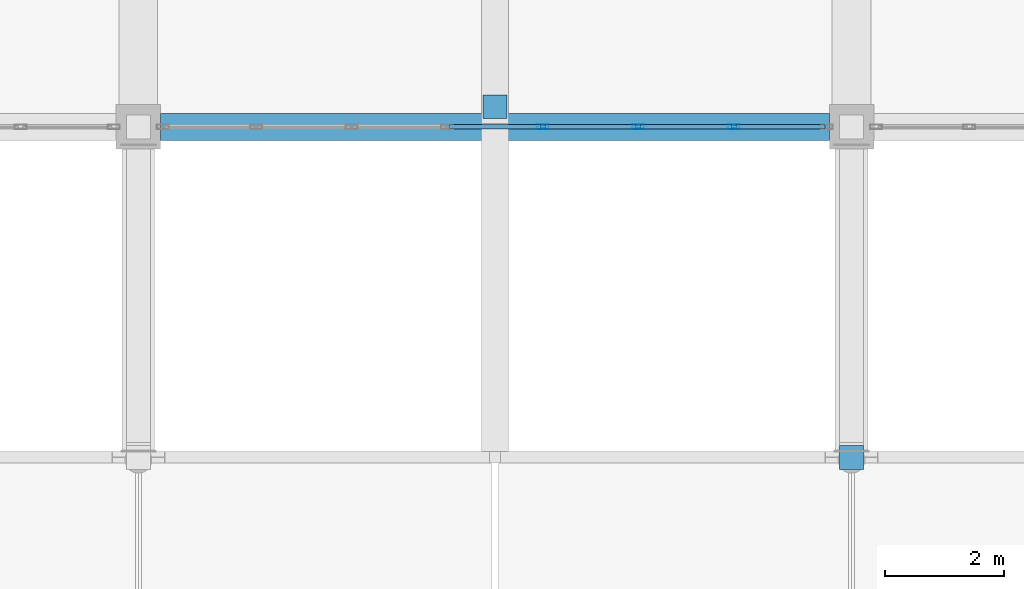
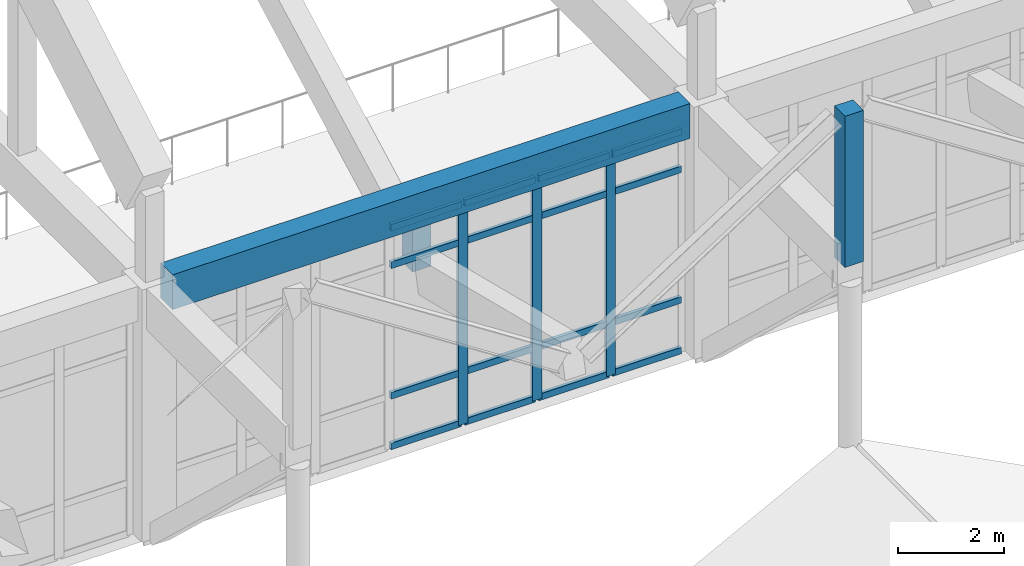
# One storey, part 53 of 236: 21 members, 1 beam, 1 element without a shape of its own.
"""IFC4 building model written with IfcOpenShell, lengths in metres."""

from ifc_helpers import new_model, si_unit, direction, frame, origin, origin_2d, place, context, subcontext, project, spatial, rectangle, hollow_rectangle, extrude, material, layer, layer_set, material_profile, profile_set, type_object, element, aggregate, save


model = new_model("IFC4")

# Units and contexts
model_context = context("Model", 3, precision=1e-05, world=origin(), true_north=direction((0.0, 1.0)))
body_context = subcontext(model_context, "Body", "Model", "MODEL_VIEW")
ifc_project = project(units=[si_unit("LENGTHUNIT", "METRE"), si_unit("AREAUNIT", "SQUARE_METRE"), si_unit("VOLUMEUNIT", "CUBIC_METRE"), si_unit("PLANEANGLEUNIT", "RADIAN"), si_unit("MASSUNIT", "GRAM", prefix="KILO")], contexts=[model_context])

# Site, building, storey
site_placement = place(None, origin())
site = spatial("IfcSite", under=ifc_project, at=site_placement, CompositionType="ELEMENT")
building_placement = place(site_placement, origin())
building = spatial("IfcBuilding", under=site, at=building_placement, Name="Pandanus Reach Market Hall", CompositionType="ELEMENT")
storey_placement = place(building_placement, frame((0.0, 0.0, 5.39990234375)))
storey = spatial("IfcBuildingStorey", under=building, at=storey_placement, Name="L01", CompositionType="ELEMENT", Elevation=5.39990234375)

# Members
ifc_material_1 = material(Name="Concrete N50 (50 MPa)", Category="concrete")
ifc_material_profile_1 = material_profile(ifc_material_1, rectangle(XDim=0.39990234375, YDim=0.39990234375, at=origin_2d()), Name="RC400x400", Category="LoadBearing")
ifc_profile_set_1 = profile_set([ifc_material_profile_1], Name="Concrete N50 (50 MPa)")
member_type_1 = type_object("IfcMemberType", Name="AR-WEB400-E", PredefinedType="STRUT", material=ifc_profile_set_1)
member_1_placement = place(storey_placement, frame((96.0, 23.239990234375, 5.3251953125), z_axis=(0.0, 0.0, 1.0), x_axis=(1.0, 0.0, 0.0)))
element("IfcMember", 1, at=member_1_placement, inside=storey, type_object=member_type_1, Name="Zigzag eaves ridge post A5.S", PredefinedType="STRUT", context=body_context, shape_type="SweptSolid", body=[
    extrude(rectangle(XDim=0.39990234375, YDim=0.39990234375, at=origin_2d()), origin(), (0.0, 0.0, 1.0), 3.474853515625),
])
member_2_placement = place(storey_placement, frame((90.0, 29.139892578125, 3.739990234375), z_axis=(0.0, 0.0, 1.0), x_axis=(1.0, 0.0, 0.0)))
element("IfcMember", 2, at=member_2_placement, inside=storey, type_object=member_type_1, Name="Butterfly south eave valley hanger B4S", PredefinedType="STRUT", context=body_context, shape_type="SweptSolid", body=[
    extrude(rectangle(XDim=0.39990234375, YDim=0.39990234375, at=origin_2d()), origin(), (0.0, 0.0, 1.0), 1.66015625),
])

# Beam
ifc_material_2 = material(Name="Concrete N40 (40 MPa)", Category="concrete")
ifc_material_profile_2 = material_profile(ifc_material_2, rectangle(XDim=0.449951171875, YDim=0.800048828125, at=origin_2d()), Name="RC450x800", Category="LoadBearing")
ifc_profile_set_2 = profile_set([ifc_material_profile_2], Name="Concrete N40 (40 MPa)")
beam_type = type_object("IfcBeamType", Name="BM-RC450-E", PredefinedType="SPANDREL", material=ifc_profile_set_2)
beam_placement = place(storey_placement, frame((84.373046875, 28.800048828125, 5.400146484375), z_axis=(1.0, 0.0, 0.0), x_axis=(0.0, 1.0, 0.0)))
element("IfcBeam", 3, at=beam_placement, inside=storey, type_object=beam_type, Name="Framing beam BM-RC450-E L01.1141", PredefinedType="SPANDREL", context=body_context, shape_type="SweptSolid", body=[
    extrude(rectangle(XDim=0.449951171875, YDim=0.800048828125, at=origin_2d()), origin(), (0.0, 0.0, 1.0), 11.25390625),
])

# Curtain wall, members
ifc_material_3 = material(Name="Bronze anodised aluminium and low-E glass", Category="aluminium")
ifc_layer = layer(ifc_material_3, 0.199951171875, Name="CW-02")
ifc_layer_set = layer_set([ifc_layer], Name="Bronze anodised aluminium and low-E glass")
curtain_wall_type = type_object("IfcCurtainWallType", Name="CW-02", PredefinedType="NOTDEFINED", material=ifc_layer_set)
curtain_wall_placement = place(storey_placement, origin())
curtain_wall = element("IfcCurtainWall", 4, at=curtain_wall_placement, inside=storey, type_object=curtain_wall_type, Name="Glazed curtain wall CW-02 CW-0005", PredefinedType="NOTDEFINED")
ifc_material_4 = material(Name="Bronze anodised aluminium", Category="aluminium")
ifc_material_profile_3 = material_profile(ifc_material_4, hollow_rectangle(XDim=0.074951171875, YDim=0.199951171875, WallThickness=0.00439453125, at=origin_2d()), Name="ALU75x200", Category="LoadBearing")
ifc_profile_set_3 = profile_set([ifc_material_profile_3], Name="Bronze anodised aluminium")
member_type_2 = type_object("IfcMemberType", Name="CW-M2", PredefinedType="MULLION", material=ifc_profile_set_3)
member_3_placement = place(storey_placement, frame((90.803466796875, 28.800048828125, 0.0), z_axis=(0.0, 0.0, 1.0), x_axis=(0.0, 1.0, 0.0)))
member_3 = element("IfcMember", 5, at=member_3_placement, type_object=member_type_2, Name="CW-02 mullion 5", PredefinedType="MULLION", context=body_context, shape_type="SweptSolid", body=[
    extrude(hollow_rectangle(XDim=0.074951171875, YDim=0.199951171875, WallThickness=0.00439453125, at=origin_2d()), origin(), (0.0, 0.0, 1.0), 5.10009765625),
])
member_4_placement = place(storey_placement, frame((92.41064453125, 28.800048828125, 0.0), z_axis=(0.0, 0.0, 1.0), x_axis=(0.0, 1.0, 0.0)))
member_4 = element("IfcMember", 6, at=member_4_placement, type_object=member_type_2, Name="CW-02 mullion 6", PredefinedType="MULLION", context=body_context, shape_type="SweptSolid", body=[
    extrude(hollow_rectangle(XDim=0.074951171875, YDim=0.199951171875, WallThickness=0.00439453125, at=origin_2d()), origin(), (0.0, 0.0, 1.0), 5.10009765625),
])
member_5_placement = place(storey_placement, frame((94.017822265625, 28.800048828125, 0.0), z_axis=(0.0, 0.0, 1.0), x_axis=(0.0, 1.0, 0.0)))
member_5 = element("IfcMember", 7, at=member_5_placement, type_object=member_type_2, Name="CW-02 mullion 7", PredefinedType="MULLION", context=body_context, shape_type="SweptSolid", body=[
    extrude(hollow_rectangle(XDim=0.074951171875, YDim=0.199951171875, WallThickness=0.00439453125, at=origin_2d()), origin(), (0.0, 0.0, 1.0), 5.10009765625),
])
ifc_material_profile_4 = material_profile(ifc_material_4, hollow_rectangle(XDim=0.074951171875, YDim=0.14990234375, WallThickness=0.00439453125, at=origin_2d()), Name="ALU75x150", Category="LoadBearing")
ifc_profile_set_4 = profile_set([ifc_material_profile_4], Name="Bronze anodised aluminium")
member_type_3 = type_object("IfcMemberType", Name="CW-T2", PredefinedType="USERDEFINED", material=ifc_profile_set_4)
member_6_placement = place(storey_placement, frame((89.23388671875, 28.800048828125, 0.03759765625), z_axis=(1.0, 0.0, 0.0), x_axis=(0.0, 1.0, 0.0)))
member_6 = element("IfcMember", 8, at=member_6_placement, type_object=member_type_3, Name="CW-02 transom 4.1", ObjectType="TRANSOM", PredefinedType="USERDEFINED", context=body_context, shape_type="SweptSolid", body=[
    extrude(hollow_rectangle(XDim=0.074951171875, YDim=0.14990234375, WallThickness=0.00439453125, at=origin_2d()), origin(), (0.0, 0.0, 1.0), 1.5322265625),
])
member_7_placement = place(storey_placement, frame((89.23388671875, 28.800048828125, 1.2001953125), z_axis=(1.0, 0.0, 0.0), x_axis=(0.0, 1.0, 0.0)))
member_7 = element("IfcMember", 9, at=member_7_placement, type_object=member_type_3, Name="CW-02 transom 4.2", ObjectType="TRANSOM", PredefinedType="USERDEFINED", context=body_context, shape_type="SweptSolid", body=[
    extrude(hollow_rectangle(XDim=0.074951171875, YDim=0.14990234375, WallThickness=0.00439453125, at=origin_2d()), origin(), (0.0, 0.0, 1.0), 1.5322265625),
])
member_8_placement = place(storey_placement, frame((89.23388671875, 28.800048828125, 4.2001953125), z_axis=(1.0, 0.0, 0.0), x_axis=(0.0, 1.0, 0.0)))
member_8 = element("IfcMember", 10, at=member_8_placement, type_object=member_type_3, Name="CW-02 transom 4.3", ObjectType="TRANSOM", PredefinedType="USERDEFINED", context=body_context, shape_type="SweptSolid", body=[
    extrude(hollow_rectangle(XDim=0.074951171875, YDim=0.14990234375, WallThickness=0.00439453125, at=origin_2d()), origin(), (0.0, 0.0, 1.0), 1.5322265625),
])
member_9_placement = place(storey_placement, frame((89.23388671875, 28.800048828125, 5.0625), z_axis=(1.0, 0.0, 0.0), x_axis=(0.0, 1.0, 0.0)))
member_9 = element("IfcMember", 11, at=member_9_placement, type_object=member_type_3, Name="CW-02 transom 4.4", ObjectType="TRANSOM", PredefinedType="USERDEFINED", context=body_context, shape_type="SweptSolid", body=[
    extrude(hollow_rectangle(XDim=0.074951171875, YDim=0.14990234375, WallThickness=0.00439453125, at=origin_2d()), origin(), (0.0, 0.0, 1.0), 1.5322265625),
])
member_10_placement = place(storey_placement, frame((90.841064453125, 28.800048828125, 0.03759765625), z_axis=(1.0, 0.0, 0.0), x_axis=(0.0, 1.0, 0.0)))
member_10 = element("IfcMember", 12, at=member_10_placement, type_object=member_type_3, Name="CW-02 transom 5.1", ObjectType="TRANSOM", PredefinedType="USERDEFINED", context=body_context, shape_type="SweptSolid", body=[
    extrude(hollow_rectangle(XDim=0.074951171875, YDim=0.14990234375, WallThickness=0.00439453125, at=origin_2d()), origin(), (0.0, 0.0, 1.0), 1.5322265625),
])
member_11_placement = place(storey_placement, frame((90.841064453125, 28.800048828125, 1.2001953125), z_axis=(1.0, 0.0, 0.0), x_axis=(0.0, 1.0, 0.0)))
member_11 = element("IfcMember", 13, at=member_11_placement, type_object=member_type_3, Name="CW-02 transom 5.2", ObjectType="TRANSOM", PredefinedType="USERDEFINED", context=body_context, shape_type="SweptSolid", body=[
    extrude(hollow_rectangle(XDim=0.074951171875, YDim=0.14990234375, WallThickness=0.00439453125, at=origin_2d()), origin(), (0.0, 0.0, 1.0), 1.5322265625),
])
member_12_placement = place(storey_placement, frame((90.841064453125, 28.800048828125, 4.2001953125), z_axis=(1.0, 0.0, 0.0), x_axis=(0.0, 1.0, 0.0)))
member_12 = element("IfcMember", 14, at=member_12_placement, type_object=member_type_3, Name="CW-02 transom 5.3", ObjectType="TRANSOM", PredefinedType="USERDEFINED", context=body_context, shape_type="SweptSolid", body=[
    extrude(hollow_rectangle(XDim=0.074951171875, YDim=0.14990234375, WallThickness=0.00439453125, at=origin_2d()), origin(), (0.0, 0.0, 1.0), 1.5322265625),
])
member_13_placement = place(storey_placement, frame((90.841064453125, 28.800048828125, 5.0625), z_axis=(1.0, 0.0, 0.0), x_axis=(0.0, 1.0, 0.0)))
member_13 = element("IfcMember", 15, at=member_13_placement, type_object=member_type_3, Name="CW-02 transom 5.4", ObjectType="TRANSOM", PredefinedType="USERDEFINED", context=body_context, shape_type="SweptSolid", body=[
    extrude(hollow_rectangle(XDim=0.074951171875, YDim=0.14990234375, WallThickness=0.00439453125, at=origin_2d()), origin(), (0.0, 0.0, 1.0), 1.5322265625),
])
member_14_placement = place(storey_placement, frame((92.4482421875, 28.800048828125, 0.03759765625), z_axis=(1.0, 0.0, 0.0), x_axis=(0.0, 1.0, 0.0)))
member_14 = element("IfcMember", 16, at=member_14_placement, type_object=member_type_3, Name="CW-02 transom 6.1", ObjectType="TRANSOM", PredefinedType="USERDEFINED", context=body_context, shape_type="SweptSolid", body=[
    extrude(hollow_rectangle(XDim=0.074951171875, YDim=0.14990234375, WallThickness=0.00439453125, at=origin_2d()), origin(), (0.0, 0.0, 1.0), 1.5322265625),
])
member_15_placement = place(storey_placement, frame((92.4482421875, 28.800048828125, 1.2001953125), z_axis=(1.0, 0.0, 0.0), x_axis=(0.0, 1.0, 0.0)))
member_15 = element("IfcMember", 17, at=member_15_placement, type_object=member_type_3, Name="CW-02 transom 6.2", ObjectType="TRANSOM", PredefinedType="USERDEFINED", context=body_context, shape_type="SweptSolid", body=[
    extrude(hollow_rectangle(XDim=0.074951171875, YDim=0.14990234375, WallThickness=0.00439453125, at=origin_2d()), origin(), (0.0, 0.0, 1.0), 1.5322265625),
])
member_16_placement = place(storey_placement, frame((92.4482421875, 28.800048828125, 4.2001953125), z_axis=(1.0, 0.0, 0.0), x_axis=(0.0, 1.0, 0.0)))
member_16 = element("IfcMember", 18, at=member_16_placement, type_object=member_type_3, Name="CW-02 transom 6.3", ObjectType="TRANSOM", PredefinedType="USERDEFINED", context=body_context, shape_type="SweptSolid", body=[
    extrude(hollow_rectangle(XDim=0.074951171875, YDim=0.14990234375, WallThickness=0.00439453125, at=origin_2d()), origin(), (0.0, 0.0, 1.0), 1.5322265625),
])
member_17_placement = place(storey_placement, frame((92.4482421875, 28.800048828125, 5.0625), z_axis=(1.0, 0.0, 0.0), x_axis=(0.0, 1.0, 0.0)))
member_17 = element("IfcMember", 19, at=member_17_placement, type_object=member_type_3, Name="CW-02 transom 6.4", ObjectType="TRANSOM", PredefinedType="USERDEFINED", context=body_context, shape_type="SweptSolid", body=[
    extrude(hollow_rectangle(XDim=0.074951171875, YDim=0.14990234375, WallThickness=0.00439453125, at=origin_2d()), origin(), (0.0, 0.0, 1.0), 1.5322265625),
])
member_18_placement = place(storey_placement, frame((94.055419921875, 28.800048828125, 0.03759765625), z_axis=(1.0, 0.0, 0.0), x_axis=(0.0, 1.0, 0.0)))
member_18 = element("IfcMember", 20, at=member_18_placement, type_object=member_type_3, Name="CW-02 transom 7.1", ObjectType="TRANSOM", PredefinedType="USERDEFINED", context=body_context, shape_type="SweptSolid", body=[
    extrude(hollow_rectangle(XDim=0.074951171875, YDim=0.14990234375, WallThickness=0.00439453125, at=origin_2d()), origin(), (0.0, 0.0, 1.0), 1.49462890625),
])
member_19_placement = place(storey_placement, frame((94.055419921875, 28.800048828125, 1.2001953125), z_axis=(1.0, 0.0, 0.0), x_axis=(0.0, 1.0, 0.0)))
member_19 = element("IfcMember", 21, at=member_19_placement, type_object=member_type_3, Name="CW-02 transom 7.2", ObjectType="TRANSOM", PredefinedType="USERDEFINED", context=body_context, shape_type="SweptSolid", body=[
    extrude(hollow_rectangle(XDim=0.074951171875, YDim=0.14990234375, WallThickness=0.00439453125, at=origin_2d()), origin(), (0.0, 0.0, 1.0), 1.49462890625),
])
member_20_placement = place(storey_placement, frame((94.055419921875, 28.800048828125, 4.2001953125), z_axis=(1.0, 0.0, 0.0), x_axis=(0.0, 1.0, 0.0)))
member_20 = element("IfcMember", 22, at=member_20_placement, type_object=member_type_3, Name="CW-02 transom 7.3", ObjectType="TRANSOM", PredefinedType="USERDEFINED", context=body_context, shape_type="SweptSolid", body=[
    extrude(hollow_rectangle(XDim=0.074951171875, YDim=0.14990234375, WallThickness=0.00439453125, at=origin_2d()), origin(), (0.0, 0.0, 1.0), 1.49462890625),
])
member_21_placement = place(storey_placement, frame((94.055419921875, 28.800048828125, 5.0625), z_axis=(1.0, 0.0, 0.0), x_axis=(0.0, 1.0, 0.0)))
member_21 = element("IfcMember", 23, at=member_21_placement, type_object=member_type_3, Name="CW-02 transom 7.4", ObjectType="TRANSOM", PredefinedType="USERDEFINED", context=body_context, shape_type="SweptSolid", body=[
    extrude(hollow_rectangle(XDim=0.074951171875, YDim=0.14990234375, WallThickness=0.00439453125, at=origin_2d()), origin(), (0.0, 0.0, 1.0), 1.49462890625),
])
aggregate(curtain_wall, [member_3, member_4, member_5, member_6, member_7, member_8, member_9, member_10, member_11, member_12, member_13, member_14, member_15, member_16, member_17, member_18, member_19, member_20, member_21])

save(model, "model.ifc")
